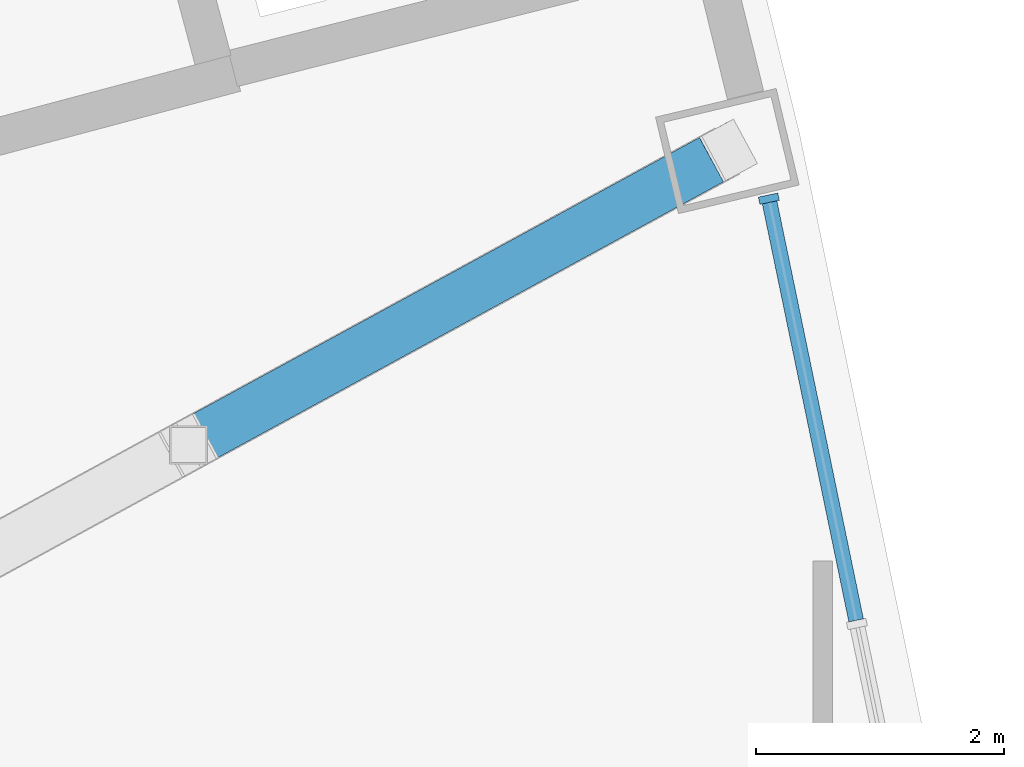
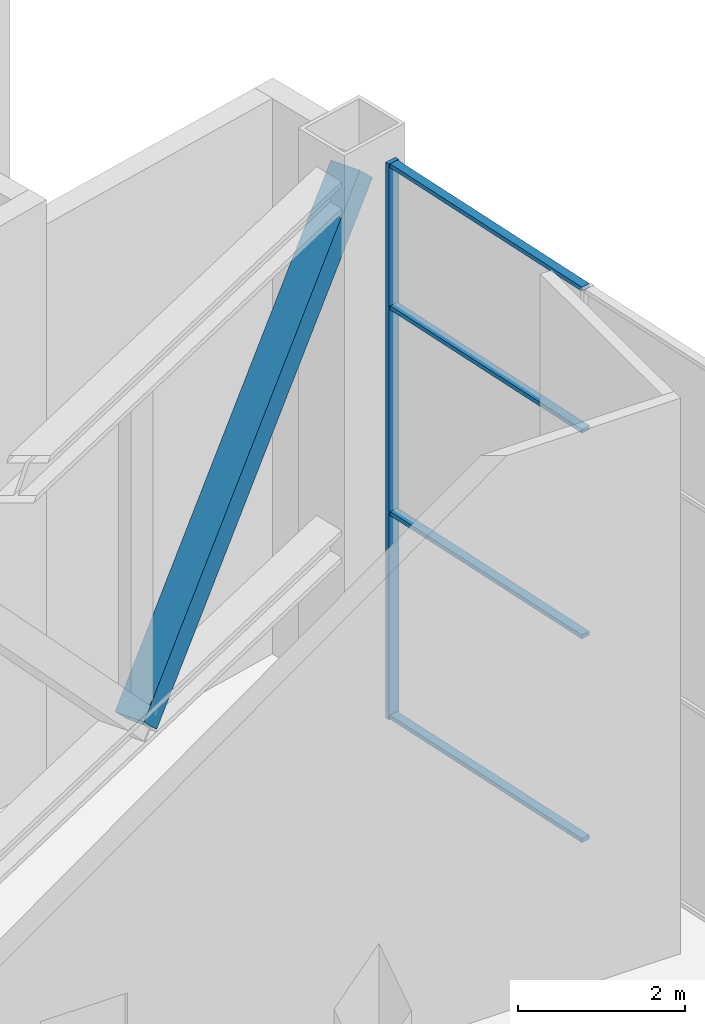
# One storey, part 14 of 25: 6 members, 1 element without a shape of its own.
"""IFC4 building model written with IfcOpenShell, lengths in metres."""

from ifc_helpers import new_model, si_unit, direction, frame, origin, origin_2d, place, context, subcontext, project, spatial, rectangle, hollow_rectangle, extrude, material, layer, layer_set, material_profile, profile_set, type_object, element, aggregate, save


model = new_model("IFC4")

# Units and contexts
model_context = context("Model", 3, precision=1e-05, world=origin(), true_north=direction((0.0, 1.0)))
body_context = subcontext(model_context, "Body", "Model", "MODEL_VIEW")
ifc_project = project(units=[si_unit("LENGTHUNIT", "METRE"), si_unit("AREAUNIT", "SQUARE_METRE"), si_unit("VOLUMEUNIT", "CUBIC_METRE"), si_unit("PLANEANGLEUNIT", "RADIAN"), si_unit("MASSUNIT", "GRAM", prefix="KILO")], contexts=[model_context])

# Site, building, storey
site_placement = place(None, origin())
site = spatial("IfcSite", under=ifc_project, at=site_placement, CompositionType="ELEMENT")
building_placement = place(site_placement, origin())
building = spatial("IfcBuilding", under=site, at=building_placement, Name="Alderwake Tower", CompositionType="ELEMENT")
storey_placement = place(building_placement, frame((0.0, 0.0, 296.0)))
storey = spatial("IfcBuildingStorey", under=building, at=storey_placement, Name="L73", CompositionType="ELEMENT", Elevation=296.0)

# Curtain wall, member
ifc_material_1 = material(Name="Bronze tinted glass in aluminium frame", Category="aluminium")
ifc_layer = layer(ifc_material_1, 0.199951171875)
ifc_layer_set = layer_set([ifc_layer], Name="Curtain wall CW4 damper floor viewing glazing")
curtain_wall_type = type_object("IfcCurtainWallType", Name="Curtain wall CW4 damper floor viewing glazing", PredefinedType="NOTDEFINED", material=ifc_layer_set)
curtain_wall_placement = place(storey_placement, origin())
curtain_wall = element("IfcCurtainWall", 1, at=curtain_wall_placement, inside=storey, type_object=curtain_wall_type, Name="Curtain wall 8", PredefinedType="NOTDEFINED")
ifc_material_2 = material(Name="Aluminium bronze anodised", Category="aluminium")
ifc_material_profile_1 = material_profile(ifc_material_2, rectangle(XDim=0.159912109375, YDim=0.06005859375, at=origin_2d()), Name="Mullion MUD 60x160")
ifc_profile_set_1 = profile_set([ifc_material_profile_1], Name="Aluminium bronze anodised")
member_type_1 = type_object("IfcMemberType", Name="Mullion MUD 60x160", PredefinedType="MULLION", material=ifc_profile_set_1)
member_1_placement = place(storey_placement, frame((52.065673828125, 91.9228515625, 0.0), z_axis=(0.0, 0.0, 1.0), x_axis=(-0.979228273012, -0.202760916683, 0.0)))
member_1 = element("IfcMember", 2, at=member_1_placement, type_object=member_type_1, Name="CW.08 mullion 3", PredefinedType="MULLION", context=body_context, shape_type="SweptSolid", body=[
    extrude(rectangle(XDim=0.159912109375, YDim=0.06005859375, at=origin_2d()), origin(), (0.0, 0.0, 1.0), 8.10009765625),
])

# Member
ifc_material_3 = material(Name="Steel ASTM A500 Grade C", Category="steel")
ifc_material_profile_2 = material_profile(ifc_material_3, hollow_rectangle(XDim=0.406494140625, YDim=0.406494140625, WallThickness=0.014892578125, at=origin_2d()), Name="HSS16X16X5/8")
ifc_profile_set_2 = profile_set([ifc_material_profile_2], Name="Steel ASTM A500 Grade C")
member_type_2 = type_object("IfcMemberType", Name="Outrigger truss diagonal HSS16X16X5/8", PredefinedType="BRACE", material=ifc_profile_set_2)
member_2_placement = place(storey_placement, frame((47.38330078125, 89.935546875, 2.7822265625), z_axis=(0.61244920085, 0.334135114632, 0.716421455254), x_axis=(-0.478931570969, 0.877852237184, 0.0)))
element("IfcMember", 3, at=member_2_placement, inside=storey, type_object=member_type_2, Name="Outrigger truss diagonal DT73NF.D5", PredefinedType="BRACE", context=body_context, shape_type="SweptSolid", body=[
    extrude(hollow_rectangle(XDim=0.406494140625, YDim=0.406494140625, WallThickness=0.014892578125, at=origin_2d()), origin(), (0.0, 0.0, 1.0), 7.098388671875),
])

ifc_material_4 = material(Name="Aluminium bronze anodised", Category="aluminium")
ifc_material_profile_3 = material_profile(ifc_material_4, rectangle(XDim=0.1201171875, YDim=0.06005859375, at=origin_2d()), Name="Transom TRD 60x120")
ifc_profile_set_3 = profile_set([ifc_material_profile_3], Name="Aluminium bronze anodised")
member_type_3 = type_object("IfcMemberType", Name="Transom TRD 60x120", PredefinedType="USERDEFINED", material=ifc_profile_set_3)
member_3_placement = place(storey_placement, frame((52.77001953125, 88.52099609375, 0.030029296875), z_axis=(-0.202736868482, 0.979233252171, 0.0), x_axis=(-0.979233252171, -0.202736868482, 0.0)))
member_3 = element("IfcMember", 4, at=member_3_placement, type_object=member_type_3, Name="CW.08 transom 2.1", ObjectType="TRANSOM", PredefinedType="USERDEFINED", context=body_context, shape_type="SweptSolid", body=[
    extrude(rectangle(XDim=0.1201171875, YDim=0.06005859375, at=origin_2d()), origin(), (0.0, 0.0, 1.0), 3.444091796875),
])

member_4_placement = place(storey_placement, frame((52.77001953125, 88.52099609375, 3.0), z_axis=(-0.202736868482, 0.979233252171, 0.0), x_axis=(-0.979233252171, -0.202736868482, 0.0)))
member_4 = element("IfcMember", 5, at=member_4_placement, type_object=member_type_3, Name="CW.08 transom 2.2", ObjectType="TRANSOM", PredefinedType="USERDEFINED", context=body_context, shape_type="SweptSolid", body=[
    extrude(rectangle(XDim=0.1201171875, YDim=0.06005859375, at=origin_2d()), origin(), (0.0, 0.0, 1.0), 3.444091796875),
])

member_5_placement = place(storey_placement, frame((52.77001953125, 88.52099609375, 6.0), z_axis=(-0.202736868482, 0.979233252171, 0.0), x_axis=(-0.979233252171, -0.202736868482, 0.0)))
member_5 = element("IfcMember", 6, at=member_5_placement, type_object=member_type_3, Name="CW.08 transom 2.3", ObjectType="TRANSOM", PredefinedType="USERDEFINED", context=body_context, shape_type="SweptSolid", body=[
    extrude(rectangle(XDim=0.1201171875, YDim=0.06005859375, at=origin_2d()), origin(), (0.0, 0.0, 1.0), 3.444091796875),
])

member_6_placement = place(storey_placement, frame((52.77001953125, 88.52099609375, 8.070068359375), z_axis=(-0.202736868482, 0.979233252171, 0.0), x_axis=(-0.979233252171, -0.202736868482, 0.0)))
member_6 = element("IfcMember", 7, at=member_6_placement, type_object=member_type_3, Name="CW.08 transom 2.4", ObjectType="TRANSOM", PredefinedType="USERDEFINED", context=body_context, shape_type="SweptSolid", body=[
    extrude(rectangle(XDim=0.1201171875, YDim=0.06005859375, at=origin_2d()), origin(), (0.0, 0.0, 1.0), 3.444091796875),
])

aggregate(curtain_wall, [member_1, member_3, member_4, member_5, member_6])

save(model, "model.ifc")
